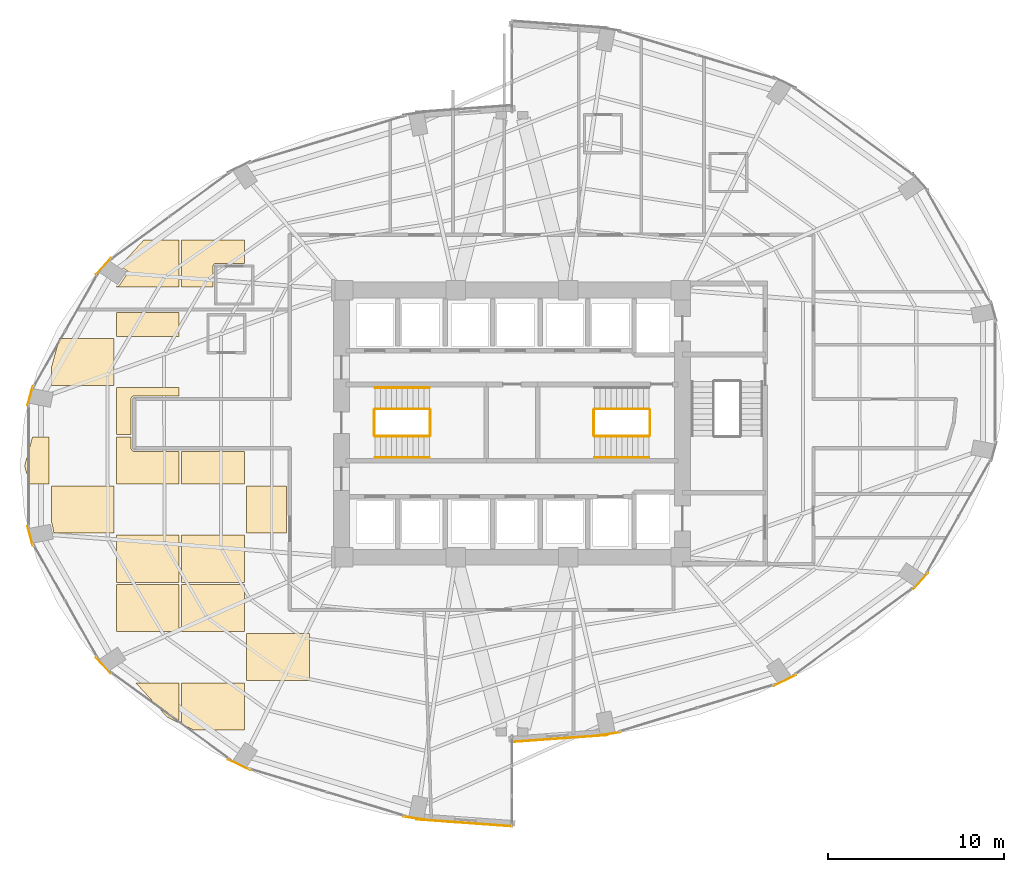
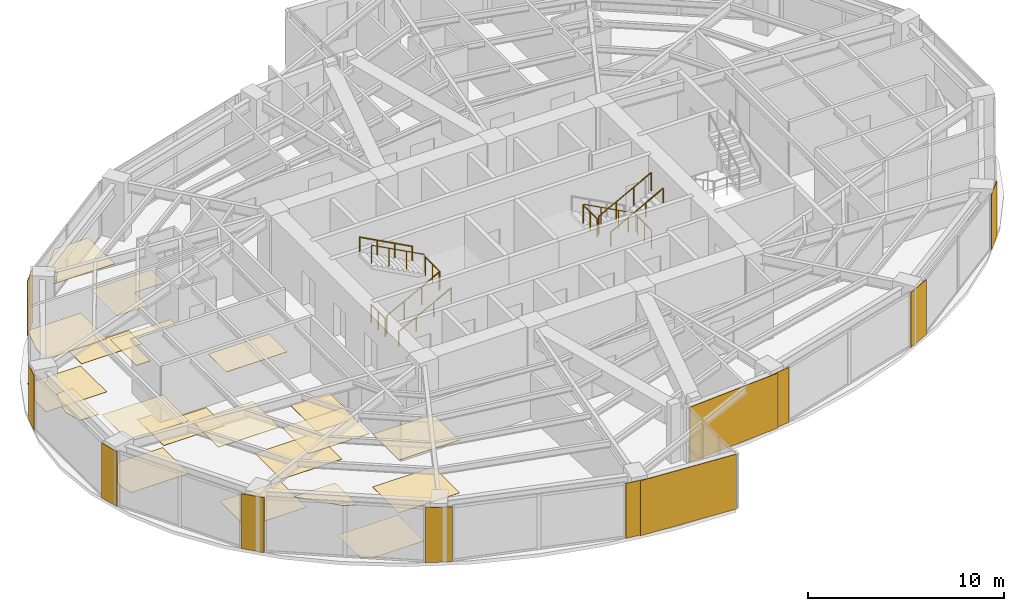
# One storey, part 24 of 25: 31 coverings, 11 railings.
"""IFC4 building model written with IfcOpenShell, lengths in metres."""

from ifc_helpers import new_model, si_unit, direction, frame, origin, origin_2d, place, context, subcontext, project, spatial, polyline, rectangle, circle, outline, extrude, material, layer, layer_set, type_object, element, save


model = new_model("IFC4")

# Units and contexts
model_context = context("Model", 3, precision=1e-05, world=origin(), true_north=direction((0.0, 1.0)))
body_context = subcontext(model_context, "Body", "Model", "MODEL_VIEW")
ifc_project = project(units=[si_unit("LENGTHUNIT", "METRE"), si_unit("AREAUNIT", "SQUARE_METRE"), si_unit("VOLUMEUNIT", "CUBIC_METRE"), si_unit("PLANEANGLEUNIT", "RADIAN"), si_unit("MASSUNIT", "GRAM", prefix="KILO")], contexts=[model_context])

# Site, building, storey
site_placement = place(None, origin())
site = spatial("IfcSite", under=ifc_project, at=site_placement, CompositionType="ELEMENT")
building_placement = place(site_placement, origin())
building = spatial("IfcBuilding", under=site, at=building_placement, Name="Lazwardi Medical Tower", CompositionType="ELEMENT")
storey_placement = place(building_placement, frame((0.0, 0.0, 47.087890625)))
storey = spatial("IfcBuildingStorey", under=building, at=storey_placement, Name="L11", CompositionType="ELEMENT", Elevation=47.087890625)

# Coverings
ifc_material_1 = material(Name="Anodised bronze aluminium cassette cladding", Category="aluminium")
ifc_layer_1 = layer(ifc_material_1, 0.030029296875)
ifc_layer_set_1 = layer_set([ifc_layer_1], Name="Anodised bronze aluminium cassette cladding")
covering_type_1 = type_object("IfcCoveringType", Name="COV-CLD-BRZ", PredefinedType="CLADDING", material=ifc_layer_set_1)
covering_1_placement = place(storey_placement, frame((41.454345703125, 10.33251953125, 0.0), z_axis=(0.0, 0.0, 1.0), x_axis=(0.98957259946, 0.144034962415, 0.0)))
element("IfcCovering", 1, at=covering_1_placement, inside=storey, type_object=covering_type_1, Name="L11 Mega-column bronze cassette cover M01", PredefinedType="CLADDING", context=body_context, shape_type="SweptSolid", body=[
    extrude(rectangle(XDim=1.49951171875, YDim=0.030029296875, at=origin_2d()), origin(), (0.0, 0.0, 1.0), 3.427978515625),
])
covering_2_placement = place(storey_placement, frame((51.532470703125, 13.3876953125, 0.0), z_axis=(0.0, 0.0, 1.0), x_axis=(0.898334492373, 0.439312121178, 0.0)))
element("IfcCovering", 2, at=covering_2_placement, inside=storey, type_object=covering_type_1, Name="L11 Mega-column bronze cassette cover M02", PredefinedType="CLADDING", context=body_context, shape_type="SweptSolid", body=[
    extrude(rectangle(XDim=1.400390625, YDim=0.030029296875, at=origin_2d()), origin(), (0.0, 0.0, 1.0), 3.427978515625),
])
for number, where, z_axis, x_axis, name in (
    (3, (59.24609375, 19.03271484375, 0.0), (0.0, 0.0, 1.0), (0.674252120961, 0.738501237223, 0.0), "L11 Mega-column bronze cassette cover M03"),
    (4, (12.75390625, 36.96728515625, 0.0), (0.0, 0.0, 1.0), (-0.674252120961, -0.738501237223, 0.0), "L11 Mega-column bronze cassette cover M11"),
):
    element("IfcCovering", number, at=place(storey_placement, frame(where, z_axis=z_axis, x_axis=x_axis)), inside=storey, type_object=covering_type_1, Name=name, PredefinedType="CLADDING", context=body_context, shape_type="SweptSolid", body=[
        extrude(rectangle(XDim=1.24658203125, YDim=0.030029296875, at=origin_2d()), origin(), (0.0, 0.0, 1.0), 3.427978515625),
    ])
for number, where, z_axis, x_axis, name in (
    (5, (8.579345703125, 29.591796875, 0.0), (0.0, 0.0, 1.0), (-0.262283496593, -0.964990863902, 0.0), "L11 Mega-column bronze cassette cover M12"),
    (6, (8.579345703125, 21.6083984375, 0.0), (0.0, 0.0, 1.0), (0.262283496593, -0.964990863902, 0.0), "L11 Mega-column bronze cassette cover M13"),
):
    element("IfcCovering", number, at=place(storey_placement, frame(where, z_axis=z_axis, x_axis=x_axis)), inside=storey, type_object=covering_type_1, Name=name, PredefinedType="CLADDING", context=body_context, shape_type="SweptSolid", body=[
        extrude(rectangle(XDim=1.12548828125, YDim=0.030029296875, at=origin_2d()), origin(), (0.0, 0.0, 1.0), 3.427978515625),
    ])
covering_3_placement = place(storey_placement, frame((12.75390625, 14.232666015625, 0.0), z_axis=(0.0, 0.0, 1.0), x_axis=(0.674252120961, -0.738501237223, 0.0)))
element("IfcCovering", 7, at=covering_3_placement, inside=storey, type_object=covering_type_1, Name="L11 Mega-column bronze cassette cover M14", PredefinedType="CLADDING", context=body_context, shape_type="SweptSolid", body=[
    extrude(rectangle(XDim=1.24658203125, YDim=0.030029296875, at=origin_2d()), origin(), (0.0, 0.0, 1.0), 3.427978515625),
])
covering_4_placement = place(storey_placement, frame((20.467529296875, 8.587646484375, 0.0), z_axis=(0.0, 0.0, 1.0), x_axis=(0.898334492373, -0.439312121178, 0.0)))
element("IfcCovering", 8, at=covering_4_placement, inside=storey, type_object=covering_type_1, Name="L11 Mega-column bronze cassette cover M15", PredefinedType="CLADDING", context=body_context, shape_type="SweptSolid", body=[
    extrude(rectangle(XDim=1.400390625, YDim=0.030029296875, at=origin_2d()), origin(), (0.0, 0.0, 1.0), 3.427978515625),
])
covering_5_placement = place(storey_placement, frame((30.545654296875, 5.53271484375, 0.0), z_axis=(0.0, 0.0, 1.0), x_axis=(0.98957259946, -0.144034962415, 0.0)))
element("IfcCovering", 9, at=covering_5_placement, inside=storey, type_object=covering_type_1, Name="L11 Mega-column bronze cassette cover M16", PredefinedType="CLADDING", context=body_context, shape_type="SweptSolid", body=[
    extrude(rectangle(XDim=1.49951171875, YDim=0.030029296875, at=origin_2d()), origin(), (0.0, 0.0, 1.0), 3.427978515625),
])
ifc_material_2 = material(Name="Turquoise glazed ceramic tilework cladding", Category="masonry")
ifc_layer_2 = layer(ifc_material_2, 0.034912109375)
ifc_layer_set_2 = layer_set([ifc_layer_2], Name="Turquoise glazed ceramic tilework cladding")
covering_type_2 = type_object("IfcCoveringType", Name="COV-CLD-TRQ", PredefinedType="CLADDING", material=ifc_layer_set_2)
covering_6_placement = place(storey_placement, frame((38.728271484375, 10.080322265625, 0.0), z_axis=(0.0, 0.0, 1.0), x_axis=(0.997421404513, 0.071767275412, 0.0)))
element("IfcCovering", 10, at=covering_6_placement, inside=storey, type_object=covering_type_2, Name="L11 Turquoise glazed ceramic tilework cladding", PredefinedType="CLADDING", context=body_context, shape_type="SweptSolid", body=[
    extrude(rectangle(XDim=5.4453125, YDim=0.034912109375, at=origin_2d()), origin(), (0.0, 0.0, 1.0), 3.427978515625),
])
covering_7_placement = place(storey_placement, frame((33.271484375, 5.280517578125, 0.0), z_axis=(0.0, 0.0, 1.0), x_axis=(0.997420903458, -0.071774238726, 0.0)))
element("IfcCovering", 11, at=covering_7_placement, inside=storey, type_object=covering_type_2, Name="L11 Turquoise glazed ceramic tilework cladding", PredefinedType="CLADDING", context=body_context, shape_type="SweptSolid", body=[
    extrude(rectangle(XDim=5.44482421875, YDim=0.034912109375, at=origin_2d()), origin(), (0.0, 0.0, 1.0), 3.427978515625),
])
ifc_material_3 = material(Name="Acoustic mineral fibre tile")
ifc_layer_3 = layer(ifc_material_3, 0.02490234375)
ifc_layer_set_3 = layer_set([ifc_layer_3], Name="Acoustic mineral fibre tile")
covering_type_3 = type_object("IfcCoveringType", Name="COV-CLG-01", PredefinedType="CEILING", material=ifc_layer_set_3)
covering_8_placement = place(storey_placement, frame((0.0, 0.0, 3.283203125)))
element("IfcCovering", 12, at=covering_8_placement, inside=storey, type_object=covering_type_3, Name="L11 Clinical Acoustic Ceiling 1", PredefinedType="CEILING", context=body_context, shape_type="SweptSolid", body=[
    extrude(outline(polyline([(8.712890625, 27.25244140625), (8.262939453125, 25.60009765625), (8.542724609375, 24.572509765625), (9.662841796875, 24.572509765625), (9.662841796875, 27.25244140625), (8.712890625, 27.25244140625)])), origin(), (0.0, 0.0, 1.0), 0.02490234375),
])
covering_9_placement = place(storey_placement, frame((0.0, 0.0, 3.283203125)))
element("IfcCovering", 13, at=covering_9_placement, inside=storey, type_object=covering_type_3, Name="L11 Clinical Acoustic Ceiling 2", PredefinedType="CEILING", context=body_context, shape_type="SweptSolid", body=[
    extrude(outline(polyline([(9.782958984375, 22.369873046875), (9.789306640625, 22.365966796875), (9.79541015625, 22.361328125), (9.801513671875, 22.356201171875), (9.806640625, 22.350341796875), (9.811279296875, 22.343994140625), (9.8154296875, 22.337158203125), (9.818603515625, 22.330078125), (9.8212890625, 22.32275390625), (9.8232421875, 22.315185546875), (9.93115234375, 21.7724609375), (13.36279296875, 21.7724609375), (13.36279296875, 24.452392578125), (9.782958984375, 24.452392578125), (9.782958984375, 22.369873046875)])), origin(), (0.0, 0.0, 1.0), 0.02490234375),
])
covering_10_placement = place(storey_placement, frame((0.0, 0.0, 3.283203125)))
element("IfcCovering", 14, at=covering_10_placement, inside=storey, type_object=covering_type_3, Name="L11 Clinical Acoustic Ceiling 3", PredefinedType="CEILING", context=body_context, shape_type="SweptSolid", body=[
    extrude(outline(polyline([(10.238037109375, 32.8525390625), (9.782958984375, 31.181396484375), (9.782958984375, 30.172607421875), (13.36279296875, 30.172607421875), (13.36279296875, 32.8525390625), (10.238037109375, 32.8525390625)])), origin(), (0.0, 0.0, 1.0), 0.02490234375),
])
covering_11_placement = place(storey_placement, frame((0.0, 0.0, 3.283203125)))
element("IfcCovering", 15, at=covering_11_placement, inside=storey, type_object=covering_type_3, Name="L11 Clinical Acoustic Ceiling 4", PredefinedType="CEILING", context=body_context, shape_type="SweptSolid", body=[
    extrude(outline(polyline([(14.587890625, 13.25244140625), (16.377197265625, 11.296875), (17.06298828125, 10.962158203125), (17.06298828125, 13.25244140625), (14.587890625, 13.25244140625)])), origin(), (0.0, 0.0, 1.0), 0.02490234375),
])
covering_12_placement = place(storey_placement, frame((0.0, 0.0, 3.283203125)))
element("IfcCovering", 16, at=covering_12_placement, inside=storey, type_object=covering_type_3, Name="L11 Clinical Acoustic Ceiling 5", PredefinedType="CEILING", context=body_context, shape_type="SweptSolid", body=[
    extrude(outline(polyline([(17.06298828125, 18.972412109375), (17.06298828125, 21.652587890625), (13.48291015625, 21.652587890625), (13.48291015625, 18.972412109375), (17.06298828125, 18.972412109375)])), origin(), (0.0, 0.0, 1.0), 0.02490234375),
])
covering_13_placement = place(storey_placement, frame((0.0, 0.0, 3.283203125)))
element("IfcCovering", 17, at=covering_13_placement, inside=storey, type_object=covering_type_3, Name="L11 Clinical Acoustic Ceiling 6", PredefinedType="CEILING", context=body_context, shape_type="SweptSolid", body=[
    extrude(outline(polyline([(14.324951171875, 27.37255859375), (14.324951171875, 29.39990234375), (14.3251953125, 29.404296875), (14.32568359375, 29.41357421875), (14.326416015625, 29.42041015625), (14.32763671875, 29.4296875), (14.3291015625, 29.43798828125), (14.33154296875, 29.447265625), (14.33349609375, 29.4541015625), (14.336669921875, 29.462890625), (14.340087890625, 29.470703125), (14.343994140625, 29.479248046875), (14.34765625, 29.486083984375), (14.352294921875, 29.493896484375), (14.35693359375, 29.500732421875), (14.362548828125, 29.50830078125), (14.3671875, 29.513916015625), (14.373291015625, 29.520751953125), (14.37939453125, 29.526611328125), (14.38623046875, 29.532958984375), (14.391845703125, 29.53759765625), (14.3994140625, 29.543212890625), (14.406005859375, 29.547607421875), (14.4140625, 29.552490234375), (14.4208984375, 29.555908203125), (14.42919921875, 29.56005859375), (14.43701171875, 29.563232421875), (14.44580078125, 29.56640625), (14.452880859375, 29.568603515625), (14.4619140625, 29.57080078125), (14.47021484375, 29.572509765625), (14.4794921875, 29.57373046875), (14.486328125, 29.574462890625), (14.49560546875, 29.574951171875), (14.5, 29.574951171875), (17.06298828125, 29.574951171875), (17.06298828125, 30.052490234375), (13.48291015625, 30.052490234375), (13.48291015625, 27.37255859375), (14.324951171875, 27.37255859375)])), origin(), (0.0, 0.0, 1.0), 0.02490234375),
])
covering_14_placement = place(storey_placement, frame((0.0, 0.0, 3.283203125)))
element("IfcCovering", 18, at=covering_14_placement, inside=storey, type_object=covering_type_3, Name="L11 Clinical Acoustic Ceiling 7", PredefinedType="CEILING", context=body_context, shape_type="SweptSolid", body=[
    extrude(outline(polyline([(15.0498046875, 38.452392578125), (13.69677734375, 36.97314453125), (14.11083984375, 36.696533203125), (14.1171875, 36.69189453125), (14.123046875, 36.6865234375), (14.128173828125, 36.6806640625), (14.1328125, 36.67431640625), (14.136962890625, 36.667724609375), (14.140380859375, 36.66064453125), (14.14306640625, 36.6533203125), (14.14501953125, 36.6455078125), (14.14599609375, 36.6376953125), (14.146484375, 36.6298828125), (14.14599609375, 36.622314453125), (14.14501953125, 36.614501953125), (14.14306640625, 36.606689453125), (14.140380859375, 36.599365234375), (14.136962890625, 36.59228515625), (14.1328125, 36.585693359375), (13.6328125, 35.83740234375), (13.628173828125, 35.830810546875), (13.623046875, 35.8251953125), (13.6171875, 35.81982421875), (13.61083984375, 35.815185546875), (13.60400390625, 35.81103515625), (13.596923828125, 35.807861328125), (13.589599609375, 35.80517578125), (13.58203125, 35.80322265625), (13.57421875, 35.802001953125), (13.56640625, 35.8017578125), (13.55859375, 35.802001953125), (13.55078125, 35.80322265625), (13.543212890625, 35.80517578125), (13.535888671875, 35.807861328125), (13.52880859375, 35.81103515625), (13.52197265625, 35.815185546875), (13.48291015625, 35.84130859375), (13.48291015625, 35.7724609375), (17.06298828125, 35.7724609375), (17.06298828125, 38.452392578125), (15.0498046875, 38.452392578125)])), origin(), (0.0, 0.0, 1.0), 0.02490234375),
])
covering_15_placement = place(storey_placement, frame((0.0, 0.0, 3.283203125)))
element("IfcCovering", 19, at=covering_15_placement, inside=storey, type_object=covering_type_3, Name="L11 Clinical Acoustic Ceiling 8", PredefinedType="CEILING", context=body_context, shape_type="SweptSolid", body=[
    extrude(outline(polyline([(20.762939453125, 16.172607421875), (20.762939453125, 18.8525390625), (17.182861328125, 18.8525390625), (17.182861328125, 16.172607421875), (20.762939453125, 16.172607421875)])), origin(), (0.0, 0.0, 1.0), 0.02490234375),
])
covering_16_placement = place(storey_placement, frame((0.0, 0.0, 3.283203125)))
element("IfcCovering", 20, at=covering_16_placement, inside=storey, type_object=covering_type_3, Name="L11 Clinical Acoustic Ceiling 9", PredefinedType="CEILING", context=body_context, shape_type="SweptSolid", body=[
    extrude(outline(polyline([(20.762939453125, 26.425048828125), (17.182861328125, 26.425048828125), (17.182861328125, 24.572509765625), (20.762939453125, 24.572509765625), (20.762939453125, 26.425048828125)])), origin(), (0.0, 0.0, 1.0), 0.02490234375),
])
covering_17_placement = place(storey_placement, frame((0.0, 0.0, 3.283203125)))
element("IfcCovering", 21, at=covering_17_placement, inside=storey, type_object=covering_type_3, Name="L11 Clinical Acoustic Ceiling 10", PredefinedType="CEILING", context=body_context, shape_type="SweptSolid", body=[
    extrude(outline(polyline([(24.462890625, 13.37255859375), (24.462890625, 16.052490234375), (20.8828125, 16.052490234375), (20.8828125, 13.37255859375), (24.462890625, 13.37255859375)])), origin(), (0.0, 0.0, 1.0), 0.02490234375),
])
ifc_material_4 = material(Name="Anti-static hospital vinyl sheet flooring")
ifc_layer_4 = layer(ifc_material_4, 0.014892578125)
ifc_layer_set_4 = layer_set([ifc_layer_4], Name="Anti-static hospital vinyl sheet flooring")
covering_type_4 = type_object("IfcCoveringType", Name="COV-FLR-01", PredefinedType="FLOORING", material=ifc_layer_set_4)
covering_18_placement = place(storey_placement, origin())
element("IfcCovering", 22, at=covering_18_placement, inside=storey, type_object=covering_type_4, Name="L11 Clinical Vinyl Flooring 1", PredefinedType="FLOORING", context=body_context, shape_type="SweptSolid", body=[
    extrude(outline(polyline([(9.782958984375, 22.369873046875), (9.789306640625, 22.365966796875), (9.79541015625, 22.361328125), (9.801513671875, 22.356201171875), (9.806640625, 22.350341796875), (9.811279296875, 22.343994140625), (9.8154296875, 22.337158203125), (9.818603515625, 22.330078125), (9.8212890625, 22.32275390625), (9.8232421875, 22.315185546875), (9.93115234375, 21.7724609375), (13.36279296875, 21.7724609375), (13.36279296875, 24.452392578125), (9.782958984375, 24.452392578125), (9.782958984375, 22.369873046875)])), origin(), (0.0, 0.0, 1.0), 0.01513671875),
])
covering_19_placement = place(storey_placement, origin())
element("IfcCovering", 23, at=covering_19_placement, inside=storey, type_object=covering_type_4, Name="L11 Clinical Vinyl Flooring 2", PredefinedType="FLOORING", context=body_context, shape_type="SweptSolid", body=[
    extrude(outline(polyline([(10.238037109375, 32.8525390625), (9.782958984375, 31.181396484375), (9.782958984375, 30.172607421875), (13.36279296875, 30.172607421875), (13.36279296875, 32.8525390625), (10.238037109375, 32.8525390625)])), origin(), (0.0, 0.0, 1.0), 0.01513671875),
])
covering_20_placement = place(storey_placement, origin())
element("IfcCovering", 24, at=covering_20_placement, inside=storey, type_object=covering_type_4, Name="L11 Clinical Vinyl Flooring 3", PredefinedType="FLOORING", context=body_context, shape_type="SweptSolid", body=[
    extrude(outline(polyline([(17.06298828125, 16.172607421875), (17.06298828125, 18.8525390625), (13.48291015625, 18.8525390625), (13.48291015625, 16.172607421875), (17.06298828125, 16.172607421875)])), origin(), (0.0, 0.0, 1.0), 0.01513671875),
])
covering_21_placement = place(storey_placement, origin())
element("IfcCovering", 25, at=covering_21_placement, inside=storey, type_object=covering_type_4, Name="L11 Clinical Vinyl Flooring 4", PredefinedType="FLOORING", context=body_context, shape_type="SweptSolid", body=[
    extrude(outline(polyline([(17.06298828125, 26.425048828125), (14.5, 26.425048828125), (14.49560546875, 26.425048828125), (14.486328125, 26.425537109375), (14.4794921875, 26.42626953125), (14.47021484375, 26.427490234375), (14.4619140625, 26.42919921875), (14.452880859375, 26.431396484375), (14.44580078125, 26.43359375), (14.43701171875, 26.436767578125), (14.42919921875, 26.43994140625), (14.4208984375, 26.444091796875), (14.4140625, 26.447509765625), (14.406005859375, 26.452392578125), (14.3994140625, 26.456787109375), (14.391845703125, 26.46240234375), (14.38623046875, 26.467041015625), (14.37939453125, 26.473388671875), (14.373291015625, 26.479248046875), (14.3671875, 26.486083984375), (14.362548828125, 26.49169921875), (14.35693359375, 26.499267578125), (14.352294921875, 26.506103515625), (14.34765625, 26.513916015625), (14.343994140625, 26.520751953125), (14.340087890625, 26.529296875), (14.336669921875, 26.537109375), (14.33349609375, 26.5458984375), (14.33154296875, 26.552734375), (14.3291015625, 26.56201171875), (14.32763671875, 26.5703125), (14.326416015625, 26.57958984375), (14.32568359375, 26.58642578125), (14.3251953125, 26.595703125), (14.324951171875, 26.60009765625), (14.324951171875, 27.25244140625), (13.48291015625, 27.25244140625), (13.48291015625, 24.572509765625), (17.06298828125, 24.572509765625), (17.06298828125, 26.425048828125)])), origin(), (0.0, 0.0, 1.0), 0.01513671875),
])
covering_22_placement = place(storey_placement, origin())
element("IfcCovering", 26, at=covering_22_placement, inside=storey, type_object=covering_type_4, Name="L11 Clinical Vinyl Flooring 5", PredefinedType="FLOORING", context=body_context, shape_type="SweptSolid", body=[
    extrude(outline(polyline([(17.06298828125, 34.3349609375), (13.48291015625, 34.3349609375), (13.48291015625, 32.972412109375), (17.06298828125, 32.972412109375), (17.06298828125, 34.3349609375)])), origin(), (0.0, 0.0, 1.0), 0.01513671875),
])
covering_23_placement = place(storey_placement, origin())
element("IfcCovering", 27, at=covering_23_placement, inside=storey, type_object=covering_type_4, Name="L11 Clinical Vinyl Flooring 6", PredefinedType="FLOORING", context=body_context, shape_type="SweptSolid", body=[
    extrude(outline(polyline([(17.182861328125, 10.903564453125), (17.861083984375, 10.572509765625), (20.762939453125, 10.572509765625), (20.762939453125, 13.25244140625), (17.182861328125, 13.25244140625), (17.182861328125, 10.903564453125)])), origin(), (0.0, 0.0, 1.0), 0.01513671875),
])
covering_24_placement = place(storey_placement, origin())
element("IfcCovering", 28, at=covering_24_placement, inside=storey, type_object=covering_type_4, Name="L11 Clinical Vinyl Flooring 7", PredefinedType="FLOORING", context=body_context, shape_type="SweptSolid", body=[
    extrude(outline(polyline([(20.762939453125, 18.972412109375), (20.762939453125, 21.652587890625), (17.182861328125, 21.652587890625), (17.182861328125, 18.972412109375), (20.762939453125, 18.972412109375)])), origin(), (0.0, 0.0, 1.0), 0.01513671875),
])
covering_25_placement = place(storey_placement, origin())
element("IfcCovering", 29, at=covering_25_placement, inside=storey, type_object=covering_type_4, Name="L11 Clinical Vinyl Flooring 8", PredefinedType="FLOORING", context=body_context, shape_type="SweptSolid", body=[
    extrude(outline(polyline([(18.994384765625, 35.7724609375), (18.994384765625, 36.965087890625), (18.994384765625, 36.968505859375), (18.99462890625, 36.975341796875), (18.99560546875, 36.9833984375), (18.99658203125, 36.990234375), (18.998046875, 36.998779296875), (18.999755859375, 37.00537109375), (19.001953125, 37.011962890625), (19.004150390625, 37.0185546875), (19.007568359375, 37.026611328125), (19.010498046875, 37.03271484375), (19.013916015625, 37.038818359375), (19.017333984375, 37.044677734375), (19.02197265625, 37.0517578125), (19.026123046875, 37.05712890625), (19.03076171875, 37.06298828125), (19.035400390625, 37.068115234375), (19.041259765625, 37.073974609375), (19.04638671875, 37.07861328125), (19.052001953125, 37.083251953125), (19.0576171875, 37.08740234375), (19.064697265625, 37.092041015625), (19.070556640625, 37.095458984375), (19.076416015625, 37.0986328125), (19.082763671875, 37.101806640625), (19.0908203125, 37.10498046875), (19.097412109375, 37.107421875), (19.10400390625, 37.109619140625), (19.110595703125, 37.111083984375), (19.118896484375, 37.11279296875), (19.125732421875, 37.11376953125), (19.1337890625, 37.114501953125), (19.140869140625, 37.114990234375), (19.144287109375, 37.114990234375), (20.762939453125, 37.114990234375), (20.762939453125, 38.452392578125), (17.182861328125, 38.452392578125), (17.182861328125, 35.7724609375), (18.994384765625, 35.7724609375)])), origin(), (0.0, 0.0, 1.0), 0.01513671875),
])
covering_26_placement = place(storey_placement, origin())
element("IfcCovering", 30, at=covering_26_placement, inside=storey, type_object=covering_type_4, Name="L11 Clinical Vinyl Flooring 9", PredefinedType="FLOORING", context=body_context, shape_type="SweptSolid", body=[
    extrude(outline(polyline([(24.462890625, 13.37255859375), (24.462890625, 16.052490234375), (20.8828125, 16.052490234375), (20.8828125, 13.37255859375), (24.462890625, 13.37255859375)])), origin(), (0.0, 0.0, 1.0), 0.01513671875),
])
covering_27_placement = place(storey_placement, origin())
element("IfcCovering", 31, at=covering_27_placement, inside=storey, type_object=covering_type_4, Name="L11 Clinical Vinyl Flooring 10", PredefinedType="FLOORING", context=body_context, shape_type="SweptSolid", body=[
    extrude(outline(polyline([(23.175048828125, 21.7724609375), (23.175048828125, 24.452392578125), (20.8828125, 24.452392578125), (20.8828125, 21.7724609375), (23.175048828125, 21.7724609375)])), origin(), (0.0, 0.0, 1.0), 0.01513671875),
])

# Railings
ifc_material_5 = material(Name="Stainless steel Grade 316", Category="steel")
railing_type_1 = type_object("IfcRailingType", Name="RLG-GRD-1150", PredefinedType="GUARDRAIL", material=ifc_material_5)
railing_1_placement = place(storey_placement, frame((28.199951171875, 27.2900390625, 0.166015625)))
element("IfcRailing", 32, at=railing_1_placement, inside=storey, type_object=railing_type_1, Name="L11 ST1 stair guard 1", PredefinedType="GUARDRAIL", context=body_context, shape_type="SweptSolid", body=[
    extrude(circle(Radius=0.02392578125, at=origin_2d()), frame((0.0, 0.0, 1.1259765625), z_axis=(0.881783298633, 0.0, 0.471654761719), x_axis=(0.0, 1.0, 0.0)), (0.0, 0.0, 1.0), 3.515625),
    extrude(circle(Radius=0.02099609375, at=origin_2d()), origin(), (0.0, 0.0, 1.0), 1.099853515625),
    extrude(circle(Radius=0.02099609375, at=origin_2d()), frame((1.033447265625, 0.0, 0.552734375)), (0.0, 0.0, 1.0), 1.099853515625),
    extrude(circle(Radius=0.02099609375, at=origin_2d()), frame((2.066650390625, 0.0, 1.10546875)), (0.0, 0.0, 1.0), 1.099853515625),
    extrude(circle(Radius=0.02099609375, at=origin_2d()), frame((3.10009765625, 0.0, 1.658203125)), (0.0, 0.0, 1.0), 1.099853515625),
])
railing_2_placement = place(storey_placement, frame((31.35009765625, 27.340087890625, 1.82421875)))
element("IfcRailing", 33, at=railing_2_placement, inside=storey, type_object=railing_type_1, Name="L11 ST1 stair guard 2", PredefinedType="GUARDRAIL", context=body_context, shape_type="SweptSolid", body=[
    extrude(circle(Radius=0.02392578125, at=origin_2d()), frame((0.0, 0.0, 1.1259765625), z_axis=(0.0, 1.0, 0.0), x_axis=(-1.0, 0.0, 0.0)), (0.0, 0.0, 1.0), 1.43994140625),
    extrude(circle(Radius=0.02099609375, at=origin_2d()), origin(), (0.0, 0.0, 1.0), 1.099853515625),
    extrude(circle(Radius=0.02099609375, at=origin_2d()), frame((0.0, 0.719970703125, 0.0)), (0.0, 0.0, 1.0), 1.099853515625),
    extrude(circle(Radius=0.02099609375, at=origin_2d()), frame((0.0, 1.43994140625, 0.0)), (0.0, 0.0, 1.0), 1.099853515625),
])
railing_3_placement = place(storey_placement, frame((31.300048828125, 28.830078125, 1.989990234375)))
element("IfcRailing", 34, at=railing_3_placement, inside=storey, type_object=railing_type_1, Name="L11 ST1 stair guard 3", PredefinedType="GUARDRAIL", context=body_context, shape_type="SweptSolid", body=[
    extrude(circle(Radius=0.02392578125, at=origin_2d()), frame((0.0, 0.0, 1.1259765625), z_axis=(-0.881783298633, 0.0, 0.471654761719), x_axis=(0.0, -1.0, 0.0)), (0.0, 0.0, 1.0), 3.515625),
    extrude(circle(Radius=0.02099609375, at=origin_2d()), origin(), (0.0, 0.0, 1.0), 1.099853515625),
    extrude(circle(Radius=0.02099609375, at=origin_2d()), frame((-1.033447265625, 0.0, 0.552734375)), (0.0, 0.0, 1.0), 1.099853515625),
    extrude(circle(Radius=0.02099609375, at=origin_2d()), frame((-2.066650390625, 0.0, 1.10546875)), (0.0, 0.0, 1.0), 1.099853515625),
    extrude(circle(Radius=0.02099609375, at=origin_2d()), frame((-3.10009765625, 0.0, 1.658203125)), (0.0, 0.0, 1.0), 1.099853515625),
])
railing_4_placement = place(storey_placement, frame((28.14990234375, 27.340087890625, 0.0)))
element("IfcRailing", 35, at=railing_4_placement, inside=storey, type_object=railing_type_1, Name="L11 ST1 stair guard 4", PredefinedType="GUARDRAIL", context=body_context, shape_type="SweptSolid", body=[
    extrude(circle(Radius=0.02392578125, at=origin_2d()), frame((0.0, 0.0, 1.1259765625), z_axis=(0.0, 1.0, 0.0), x_axis=(-1.0, 0.0, 0.0)), (0.0, 0.0, 1.0), 1.43994140625),
    extrude(circle(Radius=0.02099609375, at=origin_2d()), origin(), (0.0, 0.0, 1.0), 1.099853515625),
    extrude(circle(Radius=0.02099609375, at=origin_2d()), frame((0.0, 0.719970703125, 0.0)), (0.0, 0.0, 1.0), 1.099853515625),
    extrude(circle(Radius=0.02099609375, at=origin_2d()), frame((0.0, 1.43994140625, 0.0)), (0.0, 0.0, 1.0), 1.099853515625),
])
railing_5_placement = place(storey_placement, frame((43.800048828125, 28.830078125, 0.166015625)))
element("IfcRailing", 36, at=railing_5_placement, inside=storey, type_object=railing_type_1, Name="L11 ST2 stair guard 1", PredefinedType="GUARDRAIL", context=body_context, shape_type="SweptSolid", body=[
    extrude(circle(Radius=0.02392578125, at=origin_2d()), frame((0.0, 0.0, 1.1259765625), z_axis=(-0.881783298633, 0.0, 0.471654761719), x_axis=(0.0, -1.0, 0.0)), (0.0, 0.0, 1.0), 3.515625),
    extrude(circle(Radius=0.02099609375, at=origin_2d()), origin(), (0.0, 0.0, 1.0), 1.099853515625),
    extrude(circle(Radius=0.02099609375, at=origin_2d()), frame((-1.033447265625, 0.0, 0.552734375)), (0.0, 0.0, 1.0), 1.099853515625),
    extrude(circle(Radius=0.02099609375, at=origin_2d()), frame((-2.066650390625, 0.0, 1.10546875)), (0.0, 0.0, 1.0), 1.099853515625),
    extrude(circle(Radius=0.02099609375, at=origin_2d()), frame((-3.10009765625, 0.0, 1.658203125)), (0.0, 0.0, 1.0), 1.099853515625),
])
railing_6_placement = place(storey_placement, frame((40.64990234375, 28.780029296875, 1.82421875)))
element("IfcRailing", 37, at=railing_6_placement, inside=storey, type_object=railing_type_1, Name="L11 ST2 stair guard 2", PredefinedType="GUARDRAIL", context=body_context, shape_type="SweptSolid", body=[
    extrude(circle(Radius=0.02392578125, at=origin_2d()), frame((0.0, 0.0, 1.1259765625), z_axis=(0.0, -1.0, 0.0), x_axis=(1.0, 0.0, 0.0)), (0.0, 0.0, 1.0), 1.43994140625),
    extrude(circle(Radius=0.02099609375, at=origin_2d()), origin(), (0.0, 0.0, 1.0), 1.099853515625),
    extrude(circle(Radius=0.02099609375, at=origin_2d()), frame((0.0, -0.719970703125, 0.0)), (0.0, 0.0, 1.0), 1.099853515625),
    extrude(circle(Radius=0.02099609375, at=origin_2d()), frame((0.0, -1.43994140625, 0.0)), (0.0, 0.0, 1.0), 1.099853515625),
])
railing_7_placement = place(storey_placement, frame((40.699951171875, 27.2900390625, 1.989990234375)))
element("IfcRailing", 38, at=railing_7_placement, inside=storey, type_object=railing_type_1, Name="L11 ST2 stair guard 3", PredefinedType="GUARDRAIL", context=body_context, shape_type="SweptSolid", body=[
    extrude(circle(Radius=0.02392578125, at=origin_2d()), frame((0.0, 0.0, 1.1259765625), z_axis=(0.881783298633, 0.0, 0.471654761719), x_axis=(0.0, 1.0, 0.0)), (0.0, 0.0, 1.0), 3.515625),
    extrude(circle(Radius=0.02099609375, at=origin_2d()), origin(), (0.0, 0.0, 1.0), 1.099853515625),
    extrude(circle(Radius=0.02099609375, at=origin_2d()), frame((1.033447265625, 0.0, 0.552734375)), (0.0, 0.0, 1.0), 1.099853515625),
    extrude(circle(Radius=0.02099609375, at=origin_2d()), frame((2.066650390625, 0.0, 1.10546875)), (0.0, 0.0, 1.0), 1.099853515625),
    extrude(circle(Radius=0.02099609375, at=origin_2d()), frame((3.10009765625, 0.0, 1.658203125)), (0.0, 0.0, 1.0), 1.099853515625),
])
railing_8_placement = place(storey_placement, frame((43.85009765625, 28.780029296875, 0.0)))
element("IfcRailing", 39, at=railing_8_placement, inside=storey, type_object=railing_type_1, Name="L11 ST2 stair guard 4", PredefinedType="GUARDRAIL", context=body_context, shape_type="SweptSolid", body=[
    extrude(circle(Radius=0.02392578125, at=origin_2d()), frame((0.0, 0.0, 1.1259765625), z_axis=(0.0, -1.0, 0.0), x_axis=(1.0, 0.0, 0.0)), (0.0, 0.0, 1.0), 1.43994140625),
    extrude(circle(Radius=0.02099609375, at=origin_2d()), origin(), (0.0, 0.0, 1.0), 1.099853515625),
    extrude(circle(Radius=0.02099609375, at=origin_2d()), frame((0.0, -0.719970703125, 0.0)), (0.0, 0.0, 1.0), 1.099853515625),
    extrude(circle(Radius=0.02099609375, at=origin_2d()), frame((0.0, -1.43994140625, 0.0)), (0.0, 0.0, 1.0), 1.099853515625),
])
railing_type_2 = type_object("IfcRailingType", Name="RLG-HND-920", PredefinedType="HANDRAIL", material=ifc_material_5)
railing_9_placement = place(storey_placement, frame((28.199951171875, 26.070068359375, 0.166015625)))
element("IfcRailing", 40, at=railing_9_placement, inside=storey, type_object=railing_type_2, Name="L11 ST1 stair handrail 1", PredefinedType="HANDRAIL", context=body_context, shape_type="SweptSolid", body=[
    extrude(circle(Radius=0.02392578125, at=origin_2d()), frame((0.0, 0.0, 0.8857421875), z_axis=(0.881783298633, 0.0, 0.471654761719), x_axis=(0.0, 1.0, 0.0)), (0.0, 0.0, 1.0), 3.515625),
    extrude(circle(Radius=0.02099609375, at=origin_2d()), origin(), (0.0, 0.0, 1.0), 0.85986328125),
    extrude(circle(Radius=0.02099609375, at=origin_2d()), frame((1.033447265625, 0.0, 0.552734375)), (0.0, 0.0, 1.0), 0.85986328125),
    extrude(circle(Radius=0.02099609375, at=origin_2d()), frame((2.066650390625, 0.0, 1.10546875)), (0.0, 0.0, 1.0), 0.85986328125),
    extrude(circle(Radius=0.02099609375, at=origin_2d()), frame((3.10009765625, 0.0, 1.658203125)), (0.0, 0.0, 1.0), 0.85986328125),
])
railing_10_placement = place(storey_placement, frame((31.300048828125, 30.050048828125, 1.989990234375)))
element("IfcRailing", 41, at=railing_10_placement, inside=storey, type_object=railing_type_2, Name="L11 ST1 stair handrail 2", PredefinedType="HANDRAIL", context=body_context, shape_type="SweptSolid", body=[
    extrude(circle(Radius=0.02392578125, at=origin_2d()), frame((0.0, 0.0, 0.8857421875), z_axis=(-0.881783298633, 0.0, 0.471654761719), x_axis=(0.0, -1.0, 0.0)), (0.0, 0.0, 1.0), 3.515625),
    extrude(circle(Radius=0.02099609375, at=origin_2d()), origin(), (0.0, 0.0, 1.0), 0.85986328125),
    extrude(circle(Radius=0.02099609375, at=origin_2d()), frame((-1.033447265625, 0.0, 0.552734375)), (0.0, 0.0, 1.0), 0.85986328125),
    extrude(circle(Radius=0.02099609375, at=origin_2d()), frame((-2.066650390625, 0.0, 1.10546875)), (0.0, 0.0, 1.0), 0.85986328125),
    extrude(circle(Radius=0.02099609375, at=origin_2d()), frame((-3.10009765625, 0.0, 1.658203125)), (0.0, 0.0, 1.0), 0.85986328125),
])
railing_11_placement = place(storey_placement, frame((40.699951171875, 26.070068359375, 1.989990234375)))
element("IfcRailing", 42, at=railing_11_placement, inside=storey, type_object=railing_type_2, Name="L11 ST2 stair handrail 2", PredefinedType="HANDRAIL", context=body_context, shape_type="SweptSolid", body=[
    extrude(circle(Radius=0.02392578125, at=origin_2d()), frame((0.0, 0.0, 0.8857421875), z_axis=(0.881783298633, 0.0, 0.471654761719), x_axis=(0.0, 1.0, 0.0)), (0.0, 0.0, 1.0), 3.515625),
    extrude(circle(Radius=0.02099609375, at=origin_2d()), origin(), (0.0, 0.0, 1.0), 0.85986328125),
    extrude(circle(Radius=0.02099609375, at=origin_2d()), frame((1.033447265625, 0.0, 0.552734375)), (0.0, 0.0, 1.0), 0.85986328125),
    extrude(circle(Radius=0.02099609375, at=origin_2d()), frame((2.066650390625, 0.0, 1.10546875)), (0.0, 0.0, 1.0), 0.85986328125),
    extrude(circle(Radius=0.02099609375, at=origin_2d()), frame((3.10009765625, 0.0, 1.658203125)), (0.0, 0.0, 1.0), 0.85986328125),
])

save(model, "model.ifc")
